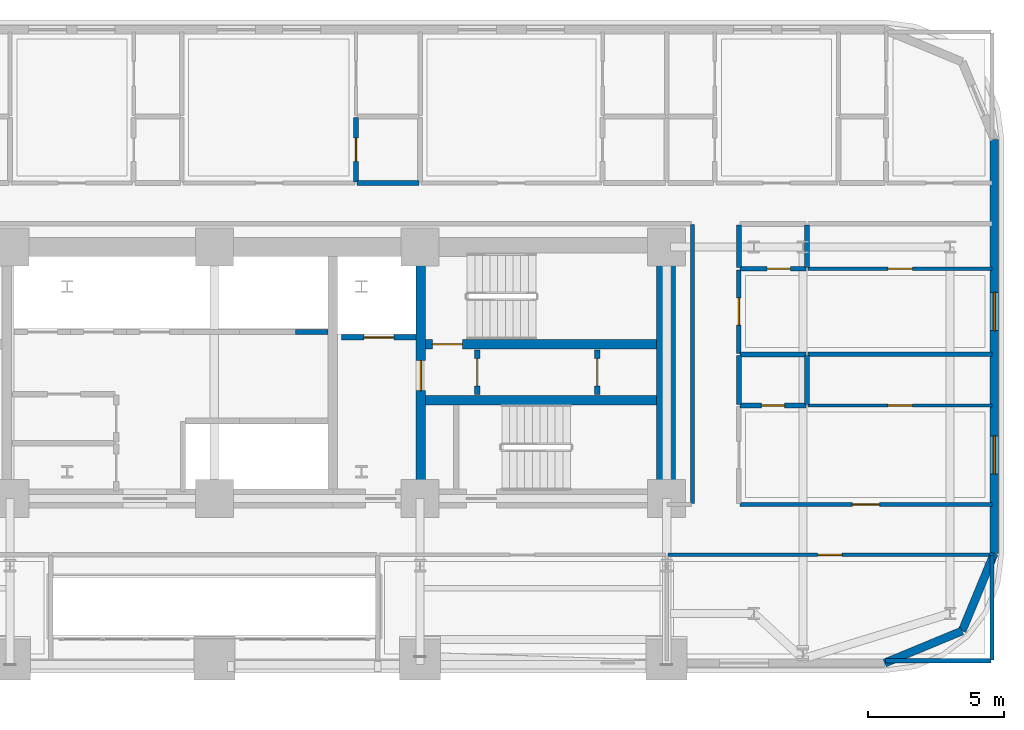
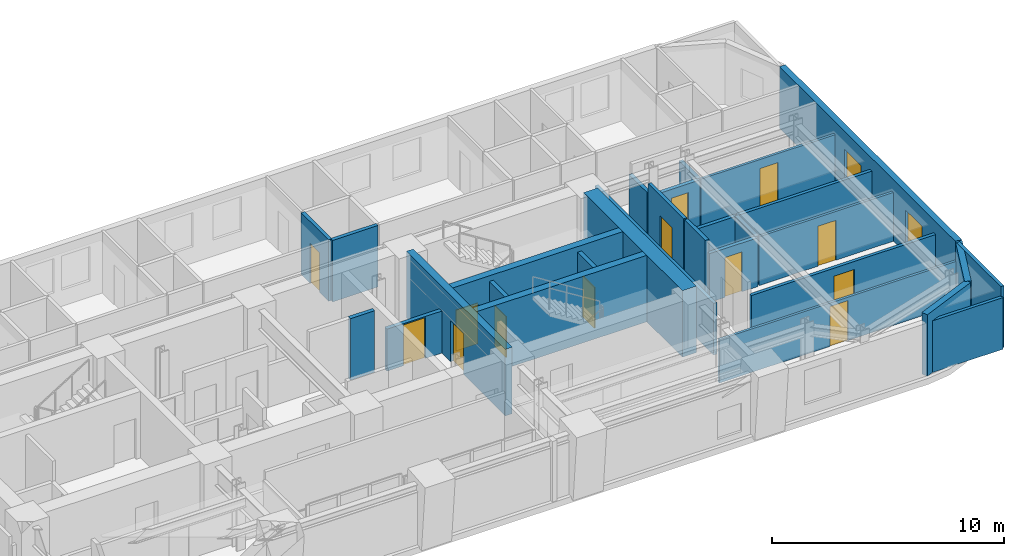
# One storey, part 10 of 16: 29 walls, 13 doors, 2 windows, 15 openings.
"""IFC4 building model written with IfcOpenShell, lengths in metres."""

from ifc_helpers import new_model, si_unit, direction, frame, frame_2d, origin, place, context, subcontext, project, spatial, rectangle, extrude, material, layer, layer_set, type_object, element, fill, save


model = new_model("IFC4")

# Units and contexts
model_context = context("Model", 3, precision=1e-05, world=origin(), true_north=direction((0.0, 1.0)))
body_context = subcontext(model_context, "Body", "Model", "MODEL_VIEW")
ifc_project = project(units=[si_unit("LENGTHUNIT", "METRE"), si_unit("AREAUNIT", "SQUARE_METRE"), si_unit("VOLUMEUNIT", "CUBIC_METRE"), si_unit("PLANEANGLEUNIT", "RADIAN"), si_unit("MASSUNIT", "GRAM", prefix="KILO")], contexts=[model_context])

# Site, building, storey
site_placement = place(None, origin())
site = spatial("IfcSite", under=ifc_project, at=site_placement, CompositionType="ELEMENT")
building_placement = place(site_placement, origin())
building = spatial("IfcBuilding", under=site, at=building_placement, Name="Zarnavel Station Tower", CompositionType="ELEMENT")
storey_placement = place(building_placement, frame((0.0, 0.0, 46.5)))
storey = spatial("IfcBuildingStorey", under=building, at=storey_placement, Name="L12", CompositionType="ELEMENT", Elevation=46.5)

# Wall, opening, door
ifc_material_1 = material(Name="Concrete C50/60", Category="concrete")
ifc_layer_1 = layer(ifc_material_1, 0.35009765625)
ifc_layer_set_1 = layer_set([ifc_layer_1], Name="CW_350")
wall_type_1 = type_object("IfcWallType", Name="CW_350", PredefinedType="SHEAR", material=ifc_layer_set_1)
wall_1_placement = place(storey_placement, frame((36.3798828125, 28.169921875, 0.0), z_axis=(0.0, 0.0, 1.0), x_axis=(0.0, 1.0, 0.0)))
wall_1 = element("IfcWall", 1, at=wall_1_placement, inside=storey, type_object=wall_type_1, Name="L12 Rear Core Shear Wall DIV-S2", PredefinedType="SHEAR", context=body_context, shape_type="SweptSolid", body=[
    extrude(rectangle(XDim=8.530029296875, YDim=0.35009765625, at=frame_2d((4.26513671875, 0.0))), origin(), (0.0, 0.0, 1.0), 3.5),
])
opening_1_placement = place(wall_1_placement, frame((3.610107421875, 0.0, 0.0)))
opening_1 = element("IfcOpeningElement", 2, at=opening_1_placement, cuts=wall_1, Name="Opening FD01", PredefinedType="OPENING", context=body_context, shape_type="SweptSolid", body=[
    extrude(rectangle(XDim=1.10009765625, YDim=2.14990234375, at=frame_2d((0.550048828125, 1.074951171875))), frame((0.0, 0.18505859375, 0.0), z_axis=(0.0, -1.0, 0.0), x_axis=(1.0, 0.0, 0.0)), (0.0, 0.0, 1.0), 0.3701171875),
])
ifc_material_2 = material(Name="Painted Galvanised Steel and Hardwood Leaf", Category="steel")
door_type_1 = type_object("IfcDoorType", Name="ID_STAIR_1100", OperationType="NOTDEFINED", PredefinedType="DOOR", material=ifc_material_2)
door_1_placement = place(opening_1_placement, origin())
door_1 = element("IfcDoor", 3, at=door_1_placement, inside=storey, type_object=door_type_1, Name="L12 East Stair Vestibule Fire Door", OperationType="SINGLE_SWING_LEFT", OverallHeight=2.14990234375, OverallWidth=1.10009765625, PredefinedType="DOOR", context=body_context, shape_type="SweptSolid", body=[
    extrude(rectangle(XDim=1.10009765625, YDim=2.14990234375, at=frame_2d((0.550048828125, 1.074951171875))), frame((0.0, 0.02490234375, 0.0), z_axis=(0.0, -1.0, 0.0), x_axis=(1.0, 0.0, 0.0)), (0.0, 0.0, 1.0), 0.050048828125),
])
fill(opening_1, door_1)

wall_2_placement = place(storey_placement, frame((45.030029296875, 33.47998046875, 0.0), z_axis=(0.0, 0.0, 1.0), x_axis=(-1.0, 0.0, 0.0)))
wall_2 = element("IfcWall", 4, at=wall_2_placement, inside=storey, type_object=wall_type_1, Name="L12 Rear Core Shear Wall DIV-H2", PredefinedType="SHEAR", context=body_context, shape_type="SweptSolid", body=[
    extrude(rectangle(XDim=8.47509765625, YDim=0.35009765625, at=frame_2d((4.237548828125, 0.0))), origin(), (0.0, 0.0, 1.0), 3.5),
])
opening_2_placement = place(wall_2_placement, frame((7.1298828125, 0.0, 0.0)))
opening_2 = element("IfcOpeningElement", 5, at=opening_2_placement, cuts=wall_2, Name="Opening FD01", PredefinedType="OPENING", context=body_context, shape_type="SweptSolid", body=[
    extrude(rectangle(XDim=1.10009765625, YDim=2.14990234375, at=frame_2d((0.550048828125, 1.074951171875))), frame((0.0, 0.18505859375, 0.0), z_axis=(0.0, -1.0, 0.0), x_axis=(1.0, 0.0, 0.0)), (0.0, 0.0, 1.0), 0.3701171875),
])
door_2_placement = place(opening_2_placement, origin())
door_2 = element("IfcDoor", 6, at=door_2_placement, inside=storey, type_object=door_type_1, Name="L12 Stair ST2 Lobby Fire Door", OperationType="SINGLE_SWING_RIGHT", OverallHeight=2.14990234375, OverallWidth=1.10009765625, PredefinedType="DOOR", context=body_context, shape_type="SweptSolid", body=[
    extrude(rectangle(XDim=1.10009765625, YDim=2.14990234375, at=frame_2d((0.550048828125, 1.074951171875))), frame((0.0, 0.02490234375, 0.0), z_axis=(0.0, -1.0, 0.0), x_axis=(1.0, 0.0, 0.0)), (0.0, 0.0, 1.0), 0.050048828125),
])
fill(opening_2, door_2)

# Walls
wall_3_placement = place(storey_placement, frame((36.554931640625, 31.419921875, 0.0), z_axis=(0.0, 0.0, 1.0), x_axis=(1.0, 0.0, 0.0)))
element("IfcWall", 7, at=wall_3_placement, inside=storey, type_object=wall_type_1, Name="L12 Rear Core Shear Wall DIV-H3", PredefinedType="SHEAR", context=body_context, shape_type="SweptSolid", body=[
    extrude(rectangle(XDim=8.47509765625, YDim=0.35009765625, at=frame_2d((4.237548828125, 0.0))), origin(), (0.0, 0.0, 1.0), 3.5),
])
ifc_material_3 = material(Name="Concrete C60/75", Category="concrete")
ifc_layer_2 = layer(ifc_material_3, 0.699951171875)
ifc_layer_set_2 = layer_set([ifc_layer_2], Name="CW_700")
wall_type_2 = type_object("IfcWallType", Name="CW_700", PredefinedType="SHEAR", material=ifc_layer_set_2)
wall_4_placement = place(storey_placement, frame((45.3798828125, 28.169921875, 0.0), z_axis=(0.0, 0.0, 1.0), x_axis=(0.0, 1.0, 0.0)))
element("IfcWall", 8, at=wall_4_placement, inside=storey, type_object=wall_type_2, Name="L12 Rear Core Shear Wall E", PredefinedType="SHEAR", context=body_context, shape_type="SweptSolid", body=[
    extrude(rectangle(XDim=8.530029296875, YDim=0.699951171875, at=frame_2d((4.26513671875, 0.0))), origin(), (0.0, 0.0, 1.0), 3.5),
])
ifc_material_4 = material(Name="Precast concrete C45/55 (Dark Basalt Finish)", Category="masonry")
ifc_layer_3 = layer(ifc_material_4, 0.300048828125)
ifc_layer_set_3 = layer_set([ifc_layer_3], Name="EW_BASALT_300")
wall_type_3 = type_object("IfcWallType", Name="EW_BASALT_300", PredefinedType="SOLIDWALL", material=ifc_layer_set_3)
wall_5_placement = place(storey_placement, frame((56.24267578125, 22.95751953125, 0.0), z_axis=(0.0, 0.0, 1.0), x_axis=(-0.923882414032, -0.382676475685, 0.0)))
element("IfcWall", 9, at=wall_5_placement, inside=storey, type_object=wall_type_3, Name="L12 Exterior Basalt Masonry Frame Wall 01", PredefinedType="SOLIDWALL", context=body_context, shape_type="SweptSolid", body=[
    extrude(rectangle(XDim=3.076904296875, YDim=0.300048828125, at=frame_2d((1.53857421875, 0.0))), origin(), (0.0, 0.0, 1.0), 3.239990234375),
])
wall_6_placement = place(storey_placement, frame((57.419921875, 25.800048828125, 0.0), z_axis=(0.0, 0.0, 1.0), x_axis=(-0.382636798336, -0.92389884758, 0.0)))
element("IfcWall", 10, at=wall_6_placement, inside=storey, type_object=wall_type_3, Name="L12 Exterior Basalt Masonry Frame Wall 02", PredefinedType="SOLIDWALL", context=body_context, shape_type="SweptSolid", body=[
    extrude(rectangle(XDim=3.07666015625, YDim=0.300048828125, at=frame_2d((1.538330078125, 0.0))), origin(), (0.0, 0.0, 1.0), 3.239990234375),
])

# Wall, openings, windows
wall_7_placement = place(storey_placement, frame((57.419921875, 41.0, 0.0), z_axis=(0.0, 0.0, 1.0), x_axis=(0.0, -1.0, 0.0)))
wall_7 = element("IfcWall", 11, at=wall_7_placement, inside=storey, type_object=wall_type_3, Name="L12 Exterior Basalt Masonry Frame Wall 03", PredefinedType="SOLIDWALL", context=body_context, shape_type="SweptSolid", body=[
    extrude(rectangle(XDim=15.199951171875, YDim=0.300048828125, at=frame_2d((7.60009765625, 0.0))), origin(), (0.0, 0.0, 1.0), 3.239990234375),
])
opening_3_placement = place(wall_7_placement, frame((10.882080078125, 0.0, 0.47998046875)))
opening_3 = element("IfcOpeningElement", 12, at=opening_3_placement, cuts=wall_7, Name="Opening WN01", PredefinedType="OPENING", context=body_context, shape_type="SweptSolid", body=[
    extrude(rectangle(XDim=1.39990234375, YDim=1.800048828125, at=frame_2d((0.699951171875, 0.89990234375))), frame((0.0, 0.159912109375, 0.0), z_axis=(0.0, -1.0, 0.0), x_axis=(1.0, 0.0, 0.0)), (0.0, 0.0, 1.0), 0.320068359375),
])
opening_4_placement = place(wall_7_placement, frame((5.62060546875, 0.0, 0.47998046875)))
opening_4 = element("IfcOpeningElement", 13, at=opening_4_placement, cuts=wall_7, Name="Opening WN01", PredefinedType="OPENING", context=body_context, shape_type="SweptSolid", body=[
    extrude(rectangle(XDim=1.39990234375, YDim=1.800048828125, at=frame_2d((0.699951171875, 0.89990234375))), frame((0.0, 0.159912109375, 0.0), z_axis=(0.0, -1.0, 0.0), x_axis=(1.0, 0.0, 0.0)), (0.0, 0.0, 1.0), 0.320068359375),
])
ifc_material_5 = material(Name="Thermally Broken Black Aluminium and Low-E Dark Glass", Category="aluminium")
window_type = type_object("IfcWindowType", Name="WN_1400x1800", PartitioningType="DOUBLE_PANEL_VERTICAL", PredefinedType="WINDOW", material=ifc_material_5)
window_1_placement = place(opening_3_placement, origin())
window_1 = element("IfcWindow", 14, at=window_1_placement, inside=storey, type_object=window_type, Name="L12 Recessed Facade Window 01", OverallHeight=1.800048828125, OverallWidth=1.39990234375, PartitioningType="SINGLE_PANEL", PredefinedType="WINDOW", context=body_context, shape_type="SweptSolid", body=[
    extrude(rectangle(XDim=1.39990234375, YDim=1.800048828125, at=frame_2d((0.699951171875, 0.89990234375))), frame((0.0, 0.030029296875, 0.0), z_axis=(0.0, -1.0, 0.0), x_axis=(1.0, 0.0, 0.0)), (0.0, 0.0, 1.0), 0.06005859375),
])
fill(opening_3, window_1)
window_2_placement = place(opening_4_placement, origin())
window_2 = element("IfcWindow", 15, at=window_2_placement, inside=storey, type_object=window_type, Name="L12 Recessed Facade Window 02", OverallHeight=1.800048828125, OverallWidth=1.39990234375, PartitioningType="SINGLE_PANEL", PredefinedType="WINDOW", context=body_context, shape_type="SweptSolid", body=[
    extrude(rectangle(XDim=1.39990234375, YDim=1.800048828125, at=frame_2d((0.699951171875, 0.89990234375))), frame((0.0, 0.030029296875, 0.0), z_axis=(0.0, -1.0, 0.0), x_axis=(1.0, 0.0, 0.0)), (0.0, 0.0, 1.0), 0.06005859375),
])
fill(opening_4, window_2)

# Wall, opening, door
ifc_material_6 = material(Name="Gypsum Twin-Stud Acoustic Fire Partition", Category="concrete")
ifc_layer_4 = layer(ifc_material_6, 0.159912109375)
ifc_layer_set_4 = layer_set([ifc_layer_4], Name="PT_DEMISE_160")
wall_type_4 = type_object("IfcWallType", Name="PT_DEMISE_160", PredefinedType="PARTITIONING", material=ifc_layer_set_4)
wall_8_placement = place(storey_placement, frame((48.090087890625, 27.60009765625, 0.0), z_axis=(0.0, 0.0, 1.0), x_axis=(1.0, 0.0, 0.0)))
wall_8 = element("IfcWall", 16, at=wall_8_placement, inside=storey, type_object=wall_type_4, Name="L12 Partition COR-S-FNE1R", PredefinedType="PARTITIONING", context=body_context, shape_type="SweptSolid", body=[
    extrude(rectangle(XDim=9.25, YDim=0.159912109375, at=frame_2d((4.625, 0.0))), origin(), (0.0, 0.0, 1.0), 2.570068359375),
])
opening_5_placement = place(wall_8_placement, frame((4.125, 0.0, 0.0)))
opening_5 = element("IfcOpeningElement", 17, at=opening_5_placement, cuts=wall_8, Name="Opening FD02", PredefinedType="OPENING", context=body_context, shape_type="SweptSolid", body=[
    extrude(rectangle(XDim=1.0, YDim=2.14990234375, at=frame_2d((0.5, 1.074951171875))), frame((0.0, 0.08984375, 0.0), z_axis=(0.0, -1.0, 0.0), x_axis=(1.0, 0.0, 0.0)), (0.0, 0.0, 1.0), 0.179931640625),
])
ifc_material_7 = material(Name="Painted Galvanised Steel and Hardwood Leaf", Category="steel")
door_type_2 = type_object("IfcDoorType", Name="ID_ENTRY_1000", OperationType="NOTDEFINED", PredefinedType="DOOR", material=ifc_material_7)
door_3_placement = place(opening_5_placement, origin())
door_3 = element("IfcDoor", 18, at=door_3_placement, inside=storey, type_object=door_type_2, Name="L12 Door COR-S-FNE1R", OperationType="SINGLE_SWING_LEFT", OverallHeight=2.14990234375, OverallWidth=1.0, PredefinedType="DOOR", context=body_context, shape_type="SweptSolid", body=[
    extrude(rectangle(XDim=1.0, YDim=2.14990234375, at=frame_2d((0.5, 1.074951171875))), frame((0.0, 0.02490234375, 0.0), z_axis=(0.0, -1.0, 0.0), x_axis=(1.0, 0.0, 0.0)), (0.0, 0.0, 1.0), 0.050048828125),
])
fill(opening_5, door_3)

wall_9_placement = place(storey_placement, frame((48.050048828125, 33.14892578125, 0.0), z_axis=(0.0, 0.0, 1.0), x_axis=(0.0, 1.0, 0.0)))
wall_9 = element("IfcWall", 19, at=wall_9_placement, inside=storey, type_object=wall_type_4, Name="L12 Partition COR-E-FNE2R", PredefinedType="PARTITIONING", context=body_context, shape_type="SweptSolid", body=[
    extrude(rectangle(XDim=3.06103515625, YDim=0.159912109375, at=frame_2d((1.530517578125, 0.0))), origin(), (0.0, 0.0, 1.0), 3.239990234375),
])
opening_6_placement = place(wall_9_placement, frame((1.030517578125, 0.0, 0.0)))
opening_6 = element("IfcOpeningElement", 20, at=opening_6_placement, cuts=wall_9, Name="Opening FD02", PredefinedType="OPENING", context=body_context, shape_type="SweptSolid", body=[
    extrude(rectangle(XDim=1.0, YDim=2.14990234375, at=frame_2d((0.5, 1.074951171875))), frame((0.0, 0.08984375, 0.0), z_axis=(0.0, -1.0, 0.0), x_axis=(1.0, 0.0, 0.0)), (0.0, 0.0, 1.0), 0.179931640625),
])
door_4_placement = place(opening_6_placement, origin())
door_4 = element("IfcDoor", 21, at=door_4_placement, inside=storey, type_object=door_type_2, Name="L12 Door COR-E-FNE2R", OperationType="SINGLE_SWING_LEFT", OverallHeight=2.14990234375, OverallWidth=1.0, PredefinedType="DOOR", context=body_context, shape_type="SweptSolid", body=[
    extrude(rectangle(XDim=1.0, YDim=2.14990234375, at=frame_2d((0.5, 1.074951171875))), frame((0.0, 0.02490234375, 0.0), z_axis=(0.0, -1.0, 0.0), x_axis=(1.0, 0.0, 0.0)), (0.0, 0.0, 1.0), 0.050048828125),
])
fill(opening_6, door_4)

# Walls
wall_10_placement = place(storey_placement, frame((50.590087890625, 33.10888671875, 0.0), z_axis=(0.0, 0.0, 1.0), x_axis=(1.0, 0.0, 0.0)))
element("IfcWall", 22, at=wall_10_placement, inside=storey, type_object=wall_type_4, Name="L12 Partition FNE1S-FNE2R", PredefinedType="PARTITIONING", context=body_context, shape_type="SweptSolid", body=[
    extrude(rectangle(XDim=6.75, YDim=0.159912109375, at=frame_2d((3.375, 0.0))), origin(), (0.0, 0.0, 1.0), 2.570068359375),
])
wall_11_placement = place(storey_placement, frame((46.35009765625, 27.6298828125, 0.0), z_axis=(0.0, 0.0, 1.0), x_axis=(0.0, 1.0, 0.0)))
element("IfcWall", 23, at=wall_11_placement, inside=storey, type_object=wall_type_4, Name="L12 Enclosure Wall COR-E", PredefinedType="PARTITIONING", context=body_context, shape_type="SweptSolid", body=[
    extrude(rectangle(XDim=10.240234375, YDim=0.159912109375, at=frame_2d((5.1201171875, 0.0))), origin(), (0.0, 0.0, 1.0), 2.719970703125),
])
wall_12_placement = place(storey_placement, frame((53.429931640625, 21.860107421875, 0.0), z_axis=(0.0, 0.0, 1.0), x_axis=(1.0, 0.0, 0.0)))
element("IfcWall", 24, at=wall_12_placement, inside=storey, type_object=wall_type_4, Name="L12 Enclosure Wall Z1SYN", PredefinedType="PARTITIONING", context=body_context, shape_type="SweptSolid", body=[
    extrude(rectangle(XDim=3.880126953125, YDim=0.159912109375, at=frame_2d((1.93994140625, 0.0))), origin(), (0.0, 0.0, 1.0), 2.719970703125),
])
wall_13_placement = place(storey_placement, frame((57.340087890625, 21.889892578125, 0.0), z_axis=(0.0, 0.0, 1.0), x_axis=(0.0, 1.0, 0.0)))
element("IfcWall", 25, at=wall_13_placement, inside=storey, type_object=wall_type_4, Name="L12 Enclosure Wall Z1SYN", PredefinedType="PARTITIONING", context=body_context, shape_type="SweptSolid", body=[
    extrude(rectangle(XDim=3.830078125, YDim=0.159912109375, at=frame_2d((1.9150390625, 0.0))), origin(), (0.0, 0.0, 1.0), 3.239990234375),
])

# Wall, opening, door
ifc_material_8 = material(Name="Gypsum Metal-Stud Interior Partition", Category="concrete")
ifc_layer_5 = layer(ifc_material_8, 0.1201171875)
ifc_layer_set_5 = layer_set([ifc_layer_5], Name="PT_ROOM_120")
wall_type_5 = type_object("IfcWallType", Name="PT_ROOM_120", PredefinedType="PARTITIONING", material=ifc_layer_set_5)
wall_14_placement = place(storey_placement, frame((45.43994140625, 25.75, 0.0), z_axis=(0.0, 0.0, 1.0), x_axis=(1.0, 0.0, 0.0)))
wall_14 = element("IfcWall", 26, at=wall_14_placement, inside=storey, type_object=wall_type_5, Name="L12 Partition COR-S-Z1SYN", PredefinedType="PARTITIONING", context=body_context, shape_type="SweptSolid", body=[
    extrude(rectangle(XDim=11.900146484375, YDim=0.1201171875, at=frame_2d((5.9501953125, 0.0))), origin(), (0.0, 0.0, 1.0), 2.280029296875),
])
opening_7_placement = place(wall_14_placement, frame((5.5, 0.0, 0.0)))
opening_7 = element("IfcOpeningElement", 27, at=opening_7_placement, cuts=wall_14, Name="Opening ID01", PredefinedType="OPENING", context=body_context, shape_type="SweptSolid", body=[
    extrude(rectangle(XDim=0.89990234375, YDim=2.10009765625, at=frame_2d((0.449951171875, 1.050048828125))), frame((0.0, 0.070068359375, 0.0), z_axis=(0.0, -1.0, 0.0), x_axis=(1.0, 0.0, 0.0)), (0.0, 0.0, 1.0), 0.14013671875),
])
ifc_material_9 = material(Name="Painted Galvanised Steel and Hardwood Leaf", Category="steel")
door_type_3 = type_object("IfcDoorType", Name="ID_ROOM_900", OperationType="NOTDEFINED", PredefinedType="DOOR", material=ifc_material_9)
door_5_placement = place(opening_7_placement, origin())
door_5 = element("IfcDoor", 28, at=door_5_placement, inside=storey, type_object=door_type_3, Name="L12 Door COR-S-Z1SYN", OperationType="SINGLE_SWING_LEFT", OverallHeight=2.10009765625, OverallWidth=0.89990234375, PredefinedType="DOOR", context=body_context, shape_type="SweptSolid", body=[
    extrude(rectangle(XDim=0.89990234375, YDim=2.10009765625, at=frame_2d((0.449951171875, 1.050048828125))), frame((0.0, 0.02490234375, 0.0), z_axis=(0.0, -1.0, 0.0), x_axis=(1.0, 0.0, 0.0)), (0.0, 0.0, 1.0), 0.050048828125),
])
fill(opening_7, door_5)

wall_15_placement = place(storey_placement, frame((50.590087890625, 31.236083984375, 0.0), z_axis=(0.0, 0.0, 1.0), x_axis=(1.0, 0.0, 0.0)))
wall_15 = element("IfcWall", 29, at=wall_15_placement, inside=storey, type_object=wall_type_5, Name="L12 Partition FNE1R-FNE1S", PredefinedType="PARTITIONING", context=body_context, shape_type="SweptSolid", body=[
    extrude(rectangle(XDim=6.75, YDim=0.1201171875, at=frame_2d((3.375, 0.0))), origin(), (0.0, 0.0, 1.0), 2.570068359375),
])
opening_8_placement = place(wall_15_placement, frame((2.925048828125, 0.0, 0.0)))
opening_8 = element("IfcOpeningElement", 30, at=opening_8_placement, cuts=wall_15, Name="Opening ID01", PredefinedType="OPENING", context=body_context, shape_type="SweptSolid", body=[
    extrude(rectangle(XDim=0.89990234375, YDim=2.10009765625, at=frame_2d((0.449951171875, 1.050048828125))), frame((0.0, 0.070068359375, 0.0), z_axis=(0.0, -1.0, 0.0), x_axis=(1.0, 0.0, 0.0)), (0.0, 0.0, 1.0), 0.14013671875),
])
door_6_placement = place(opening_8_placement, origin())
door_6 = element("IfcDoor", 31, at=door_6_placement, inside=storey, type_object=door_type_3, Name="L12 Door FNE1R-FNE1S", OperationType="SINGLE_SWING_RIGHT", OverallHeight=2.10009765625, OverallWidth=0.89990234375, PredefinedType="DOOR", context=body_context, shape_type="SweptSolid", body=[
    extrude(rectangle(XDim=0.89990234375, YDim=2.10009765625, at=frame_2d((0.449951171875, 1.050048828125))), frame((0.0, 0.02490234375, 0.0), z_axis=(0.0, -1.0, 0.0), x_axis=(1.0, 0.0, 0.0)), (0.0, 0.0, 1.0), 0.050048828125),
])
fill(opening_8, door_6)

wall_16_placement = place(storey_placement, frame((50.590087890625, 36.25, 0.0), z_axis=(0.0, 0.0, 1.0), x_axis=(1.0, 0.0, 0.0)))
wall_16 = element("IfcWall", 32, at=wall_16_placement, inside=storey, type_object=wall_type_5, Name="L12 Partition FNE2R-FNE2S", PredefinedType="PARTITIONING", context=body_context, shape_type="SweptSolid", body=[
    extrude(rectangle(XDim=6.75, YDim=0.1201171875, at=frame_2d((3.375, 0.0))), origin(), (0.0, 0.0, 1.0), 2.570068359375),
])
opening_9_placement = place(wall_16_placement, frame((2.925048828125, 0.0, 0.0)))
opening_9 = element("IfcOpeningElement", 33, at=opening_9_placement, cuts=wall_16, Name="Opening ID01", PredefinedType="OPENING", context=body_context, shape_type="SweptSolid", body=[
    extrude(rectangle(XDim=0.89990234375, YDim=2.10009765625, at=frame_2d((0.449951171875, 1.050048828125))), frame((0.0, 0.070068359375, 0.0), z_axis=(0.0, -1.0, 0.0), x_axis=(1.0, 0.0, 0.0)), (0.0, 0.0, 1.0), 0.14013671875),
])
door_7_placement = place(opening_9_placement, origin())
door_7 = element("IfcDoor", 34, at=door_7_placement, inside=storey, type_object=door_type_3, Name="L12 Door FNE2R-FNE2S", OperationType="SINGLE_SWING_RIGHT", OverallHeight=2.10009765625, OverallWidth=0.89990234375, PredefinedType="DOOR", context=body_context, shape_type="SweptSolid", body=[
    extrude(rectangle(XDim=0.89990234375, YDim=2.10009765625, at=frame_2d((0.449951171875, 1.050048828125))), frame((0.0, 0.02490234375, 0.0), z_axis=(0.0, -1.0, 0.0), x_axis=(1.0, 0.0, 0.0)), (0.0, 0.0, 1.0), 0.050048828125),
])
fill(opening_9, door_7)

ifc_material_10 = material(Name="Precast concrete C45/55 (Fire Shaft Blockwork)", Category="masonry")
ifc_layer_6 = layer(ifc_material_10, 0.199951171875)
ifc_layer_set_6 = layer_set([ifc_layer_6], Name="PT_SHAFT_200")
wall_type_6 = type_object("IfcWallType", Name="PT_SHAFT_200", PredefinedType="PARTITIONING", material=ifc_layer_set_6)
wall_17_placement = place(storey_placement, frame((33.47509765625, 33.72998046875, 0.0), z_axis=(0.0, 0.0, 1.0), x_axis=(1.0, 0.0, 0.0)))
wall_17 = element("IfcWall", 35, at=wall_17_placement, inside=storey, type_object=wall_type_6, Name="L12 Lift FFL-02 Shaft Front Wall", PredefinedType="PARTITIONING", context=body_context, shape_type="SweptSolid", body=[
    extrude(rectangle(XDim=2.724853515625, YDim=0.199951171875, at=frame_2d((1.3623046875, 0.0))), origin(), (0.0, 0.0, 1.0), 2.2119140625),
])
opening_10_placement = place(wall_17_placement, frame((0.8125, 0.0, 0.0)))
opening_10 = element("IfcOpeningElement", 36, at=opening_10_placement, cuts=wall_17, Name="Opening LD01", PredefinedType="OPENING", context=body_context, shape_type="SweptSolid", body=[
    extrude(rectangle(XDim=1.10009765625, YDim=2.14990234375, at=frame_2d((0.550048828125, 1.074951171875))), frame((0.0, 0.10986328125, 0.0), z_axis=(0.0, -1.0, 0.0), x_axis=(1.0, 0.0, 0.0)), (0.0, 0.0, 1.0), 0.219970703125),
])
ifc_material_11 = material(Name="Painted Galvanised Steel and Hardwood Leaf", Category="steel")
door_type_4 = type_object("IfcDoorType", Name="LD_FF_1100", OperationType="DOUBLE_DOOR_SLIDING", PredefinedType="DOOR", material=ifc_material_11)
door_8_placement = place(opening_10_placement, origin())
door_8 = element("IfcDoor", 37, at=door_8_placement, inside=storey, type_object=door_type_4, Name="L12 Lift FFL-02 Sliding Landing Door", OperationType="DOUBLE_DOOR_SLIDING", OverallHeight=2.14990234375, OverallWidth=1.10009765625, PredefinedType="DOOR", context=body_context, shape_type="SweptSolid", body=[
    extrude(rectangle(XDim=1.10009765625, YDim=2.14990234375, at=frame_2d((0.550048828125, 1.074951171875))), frame((0.0, 0.02490234375, 0.0), z_axis=(0.0, -1.0, 0.0), x_axis=(1.0, 0.0, 0.0)), (0.0, 0.0, 1.0), 0.050048828125),
])
fill(opening_10, door_8)

# Wall
wall_18_placement = place(storey_placement, frame((31.77490234375, 33.929931640625, 0.0), z_axis=(0.0, 0.0, 1.0), x_axis=(1.0, 0.0, 0.0)))
element("IfcWall", 38, at=wall_18_placement, inside=storey, type_object=wall_type_6, Name="L12 Lift PL-M3 Shaft Front Wall", PredefinedType="PARTITIONING", context=body_context, shape_type="SweptSolid", body=[
    extrude(rectangle(XDim=1.2001953125, YDim=0.199951171875, at=frame_2d((0.60009765625, 0.0))), origin(), (0.0, 0.0, 1.0), 3.239990234375),
])

# Wall, opening, door
wall_19_placement = place(storey_placement, frame((38.449951171875, 31.639892578125, 0.0), z_axis=(0.0, 0.0, 1.0), x_axis=(0.0, 1.0, 0.0)))
wall_19 = element("IfcWall", 39, at=wall_19_placement, inside=storey, type_object=wall_type_6, Name="L12 Partition ESTV-CEA", PredefinedType="PARTITIONING", context=body_context, shape_type="SweptSolid", body=[
    extrude(rectangle(XDim=1.6201171875, YDim=0.199951171875, at=frame_2d((0.81005859375, 0.0))), origin(), (0.0, 0.0, 1.0), 3.239990234375),
])
opening_11_placement = place(wall_19_placement, frame((0.31005859375, 0.0, 0.0)))
opening_11 = element("IfcOpeningElement", 40, at=opening_11_placement, cuts=wall_19, Name="Opening FD02", PredefinedType="OPENING", context=body_context, shape_type="SweptSolid", body=[
    extrude(rectangle(XDim=1.0, YDim=2.14990234375, at=frame_2d((0.5, 1.074951171875))), frame((0.0, 0.10986328125, 0.0), z_axis=(0.0, -1.0, 0.0), x_axis=(1.0, 0.0, 0.0)), (0.0, 0.0, 1.0), 0.219970703125),
])
door_9_placement = place(opening_11_placement, origin())
door_9 = element("IfcDoor", 41, at=door_9_placement, inside=storey, type_object=door_type_2, Name="L12 Door ESTV-CEA", OperationType="SINGLE_SWING_LEFT", OverallHeight=2.14990234375, OverallWidth=1.0, PredefinedType="DOOR", context=body_context, shape_type="SweptSolid", body=[
    extrude(rectangle(XDim=1.0, YDim=2.14990234375, at=frame_2d((0.5, 1.074951171875))), frame((0.0, 0.02490234375, 0.0), z_axis=(0.0, -1.0, 0.0), x_axis=(1.0, 0.0, 0.0)), (0.0, 0.0, 1.0), 0.050048828125),
])
fill(opening_11, door_9)

wall_20_placement = place(storey_placement, frame((42.85009765625, 31.639892578125, 0.0), z_axis=(0.0, 0.0, 1.0), x_axis=(0.0, 1.0, 0.0)))
wall_20 = element("IfcWall", 42, at=wall_20_placement, inside=storey, type_object=wall_type_6, Name="L12 Partition CEA-CEB", PredefinedType="PARTITIONING", context=body_context, shape_type="SweptSolid", body=[
    extrude(rectangle(XDim=1.6201171875, YDim=0.199951171875, at=frame_2d((0.81005859375, 0.0))), origin(), (0.0, 0.0, 1.0), 3.239990234375),
])
opening_12_placement = place(wall_20_placement, frame((0.31005859375, 0.0, 0.0)))
opening_12 = element("IfcOpeningElement", 43, at=opening_12_placement, cuts=wall_20, Name="Opening FD02", PredefinedType="OPENING", context=body_context, shape_type="SweptSolid", body=[
    extrude(rectangle(XDim=1.0, YDim=2.14990234375, at=frame_2d((0.5, 1.074951171875))), frame((0.0, 0.10986328125, 0.0), z_axis=(0.0, -1.0, 0.0), x_axis=(1.0, 0.0, 0.0)), (0.0, 0.0, 1.0), 0.219970703125),
])
door_10_placement = place(opening_12_placement, origin())
door_10 = element("IfcDoor", 44, at=door_10_placement, inside=storey, type_object=door_type_2, Name="L12 Door CEA-CEB", OperationType="SINGLE_SWING_RIGHT", OverallHeight=2.14990234375, OverallWidth=1.0, PredefinedType="DOOR", context=body_context, shape_type="SweptSolid", body=[
    extrude(rectangle(XDim=1.0, YDim=2.14990234375, at=frame_2d((0.5, 1.074951171875))), frame((0.0, 0.02490234375, 0.0), z_axis=(0.0, -1.0, 0.0), x_axis=(1.0, 0.0, 0.0)), (0.0, 0.0, 1.0), 0.050048828125),
])
fill(opening_12, door_10)

# Walls
ifc_material_12 = material(Name="Moisture-Resistant Plumbing Chase Wall", Category="concrete")
ifc_layer_7 = layer(ifc_material_12, 0.179931640625)
ifc_layer_set_7 = layer_set([ifc_layer_7], Name="PW_PLUMB_180")
wall_type_7 = type_object("IfcWallType", Name="PW_PLUMB_180", PredefinedType="PLUMBINGWALL", material=ifc_layer_set_7)
wall_21_placement = place(storey_placement, frame((48.050048828125, 31.27587890625, 0.0), z_axis=(0.0, 0.0, 1.0), x_axis=(0.0, 1.0, 0.0)))
element("IfcWall", 45, at=wall_21_placement, inside=storey, type_object=wall_type_7, Name="L12 Partition COR-E-FNE1B", PredefinedType="PLUMBINGWALL", context=body_context, shape_type="SweptSolid", body=[
    extrude(rectangle(XDim=1.793212890625, YDim=0.179931640625, at=frame_2d((0.896484375, 0.0))), origin(), (0.0, 0.0, 1.0), 3.239990234375),
])
wall_22_placement = place(storey_placement, frame((48.050048828125, 36.2900390625, 0.0), z_axis=(0.0, 0.0, 1.0), x_axis=(0.0, 1.0, 0.0)))
element("IfcWall", 46, at=wall_22_placement, inside=storey, type_object=wall_type_7, Name="L12 Partition COR-E-FNE2B", PredefinedType="PLUMBINGWALL", context=body_context, shape_type="SweptSolid", body=[
    extrude(rectangle(XDim=1.570068359375, YDim=0.179931640625, at=frame_2d((0.78515625, 0.0))), origin(), (0.0, 0.0, 1.0), 2.719970703125),
])
wall_23_placement = place(storey_placement, frame((34.0400390625, 39.39990234375, 0.0), z_axis=(0.0, 0.0, 1.0), x_axis=(1.0, 0.0, 0.0)))
element("IfcWall", 47, at=wall_23_placement, inside=storey, type_object=wall_type_7, Name="L12 Partition COR-N-HN3B", PredefinedType="PLUMBINGWALL", context=body_context, shape_type="SweptSolid", body=[
    extrude(rectangle(XDim=2.27001953125, YDim=0.179931640625, at=frame_2d((1.135009765625, 0.0))), origin(), (0.0, 0.0, 1.0), 3.239990234375),
])

# Wall, opening, door
wall_24_placement = place(storey_placement, frame((48.090087890625, 31.236083984375, 0.0), z_axis=(0.0, 0.0, 1.0), x_axis=(1.0, 0.0, 0.0)))
wall_24 = element("IfcWall", 48, at=wall_24_placement, inside=storey, type_object=wall_type_7, Name="L12 Partition FNE1R-FNE1B", PredefinedType="PLUMBINGWALL", context=body_context, shape_type="SweptSolid", body=[
    extrude(rectangle(XDim=2.419921875, YDim=0.179931640625, at=frame_2d((1.2099609375, 0.0))), origin(), (0.0, 0.0, 1.0), 2.570068359375),
])
opening_13_placement = place(wall_24_placement, frame((0.784912109375, 0.0, 0.0)))
opening_13 = element("IfcOpeningElement", 49, at=opening_13_placement, cuts=wall_24, Name="Opening ID02", PredefinedType="OPENING", context=body_context, shape_type="SweptSolid", body=[
    extrude(rectangle(XDim=0.85009765625, YDim=2.10009765625, at=frame_2d((0.425048828125, 1.050048828125))), frame((0.0, 0.099853515625, 0.0), z_axis=(0.0, -1.0, 0.0), x_axis=(1.0, 0.0, 0.0)), (0.0, 0.0, 1.0), 0.199951171875),
])
ifc_material_13 = material(Name="Painted Galvanised Steel and Hardwood Leaf", Category="steel")
door_type_5 = type_object("IfcDoorType", Name="ID_BATH_850", OperationType="NOTDEFINED", PredefinedType="DOOR", material=ifc_material_13)
door_11_placement = place(opening_13_placement, origin())
door_11 = element("IfcDoor", 50, at=door_11_placement, inside=storey, type_object=door_type_5, Name="L12 Door FNE1R-FNE1B", OperationType="SINGLE_SWING_LEFT", OverallHeight=2.10009765625, OverallWidth=0.85009765625, PredefinedType="DOOR", context=body_context, shape_type="SweptSolid", body=[
    extrude(rectangle(XDim=0.85009765625, YDim=2.10009765625, at=frame_2d((0.425048828125, 1.050048828125))), frame((0.0, 0.02490234375, 0.0), z_axis=(0.0, -1.0, 0.0), x_axis=(1.0, 0.0, 0.0)), (0.0, 0.0, 1.0), 0.050048828125),
])
fill(opening_13, door_11)

# Walls
wall_25_placement = place(storey_placement, frame((50.550048828125, 31.27587890625, 0.0), z_axis=(0.0, 0.0, 1.0), x_axis=(0.0, 1.0, 0.0)))
element("IfcWall", 51, at=wall_25_placement, inside=storey, type_object=wall_type_7, Name="L12 Partition FNE1B-FNE1S", PredefinedType="PLUMBINGWALL", context=body_context, shape_type="SweptSolid", body=[
    extrude(rectangle(XDim=1.793212890625, YDim=0.179931640625, at=frame_2d((0.896484375, 0.0))), origin(), (0.0, 0.0, 1.0), 2.570068359375),
])
wall_26_placement = place(storey_placement, frame((48.090087890625, 33.10888671875, 0.0), z_axis=(0.0, 0.0, 1.0), x_axis=(1.0, 0.0, 0.0)))
element("IfcWall", 52, at=wall_26_placement, inside=storey, type_object=wall_type_7, Name="L12 Partition FNE1B-FNE2R", PredefinedType="PLUMBINGWALL", context=body_context, shape_type="SweptSolid", body=[
    extrude(rectangle(XDim=2.419921875, YDim=0.179931640625, at=frame_2d((1.2099609375, 0.0))), origin(), (0.0, 0.0, 1.0), 2.570068359375),
])

# Wall, opening, door
wall_27_placement = place(storey_placement, frame((50.510009765625, 36.25, 0.0), z_axis=(0.0, 0.0, 1.0), x_axis=(-1.0, 0.0, 0.0)))
wall_27 = element("IfcWall", 53, at=wall_27_placement, inside=storey, type_object=wall_type_7, Name="L12 Partition FNE2R-FNE2B", PredefinedType="PLUMBINGWALL", context=body_context, shape_type="SweptSolid", body=[
    extrude(rectangle(XDim=2.419921875, YDim=0.179931640625, at=frame_2d((1.2099609375, 0.0))), origin(), (0.0, 0.0, 1.0), 2.570068359375),
])
opening_14_placement = place(wall_27_placement, frame((0.570068359375, 0.0, 0.0)))
opening_14 = element("IfcOpeningElement", 54, at=opening_14_placement, cuts=wall_27, Name="Opening ID02", PredefinedType="OPENING", context=body_context, shape_type="SweptSolid", body=[
    extrude(rectangle(XDim=0.85009765625, YDim=2.10009765625, at=frame_2d((0.425048828125, 1.050048828125))), frame((0.0, 0.099853515625, 0.0), z_axis=(0.0, -1.0, 0.0), x_axis=(1.0, 0.0, 0.0)), (0.0, 0.0, 1.0), 0.199951171875),
])
door_12_placement = place(opening_14_placement, origin())
door_12 = element("IfcDoor", 55, at=door_12_placement, inside=storey, type_object=door_type_5, Name="L12 Door FNE2R-FNE2B", OperationType="SINGLE_SWING_LEFT", OverallHeight=2.10009765625, OverallWidth=0.85009765625, PredefinedType="DOOR", context=body_context, shape_type="SweptSolid", body=[
    extrude(rectangle(XDim=0.85009765625, YDim=2.10009765625, at=frame_2d((0.425048828125, 1.050048828125))), frame((0.0, 0.02490234375, 0.0), z_axis=(0.0, -1.0, 0.0), x_axis=(1.0, 0.0, 0.0)), (0.0, 0.0, 1.0), 0.050048828125),
])
fill(opening_14, door_12)

# Wall
wall_28_placement = place(storey_placement, frame((50.550048828125, 36.2900390625, 0.0), z_axis=(0.0, 0.0, 1.0), x_axis=(0.0, 1.0, 0.0)))
element("IfcWall", 56, at=wall_28_placement, inside=storey, type_object=wall_type_7, Name="L12 Partition FNE2B-FNE2S", PredefinedType="PLUMBINGWALL", context=body_context, shape_type="SweptSolid", body=[
    extrude(rectangle(XDim=1.570068359375, YDim=0.179931640625, at=frame_2d((0.78515625, 0.0))), origin(), (0.0, 0.0, 1.0), 2.570068359375),
])

# Wall, opening, door
wall_29_placement = place(storey_placement, frame((34.0, 39.43994140625, 0.0), z_axis=(0.0, 0.0, 1.0), x_axis=(0.0, 1.0, 0.0)))
wall_29 = element("IfcWall", 57, at=wall_29_placement, inside=storey, type_object=wall_type_7, Name="L12 Partition HN3R-HN3B", PredefinedType="PLUMBINGWALL", context=body_context, shape_type="SweptSolid", body=[
    extrude(rectangle(XDim=2.358154296875, YDim=0.179931640625, at=frame_2d((1.17919921875, 0.0))), origin(), (0.0, 0.0, 1.0), 3.239990234375),
])
opening_15_placement = place(wall_29_placement, frame((0.75390625, 0.0, 0.0)))
opening_15 = element("IfcOpeningElement", 58, at=opening_15_placement, cuts=wall_29, Name="Opening ID02", PredefinedType="OPENING", context=body_context, shape_type="SweptSolid", body=[
    extrude(rectangle(XDim=0.85009765625, YDim=2.10009765625, at=frame_2d((0.425048828125, 1.050048828125))), frame((0.0, 0.099853515625, 0.0), z_axis=(0.0, -1.0, 0.0), x_axis=(1.0, 0.0, 0.0)), (0.0, 0.0, 1.0), 0.199951171875),
])
door_13_placement = place(opening_15_placement, origin())
door_13 = element("IfcDoor", 59, at=door_13_placement, inside=storey, type_object=door_type_5, Name="L12 Door HN3R-HN3B", OperationType="SINGLE_SWING_LEFT", OverallHeight=2.10009765625, OverallWidth=0.85009765625, PredefinedType="DOOR", context=body_context, shape_type="SweptSolid", body=[
    extrude(rectangle(XDim=0.85009765625, YDim=2.10009765625, at=frame_2d((0.425048828125, 1.050048828125))), frame((0.0, 0.02490234375, 0.0), z_axis=(0.0, -1.0, 0.0), x_axis=(1.0, 0.0, 0.0)), (0.0, 0.0, 1.0), 0.050048828125),
])
fill(opening_15, door_13)

save(model, "model.ifc")
